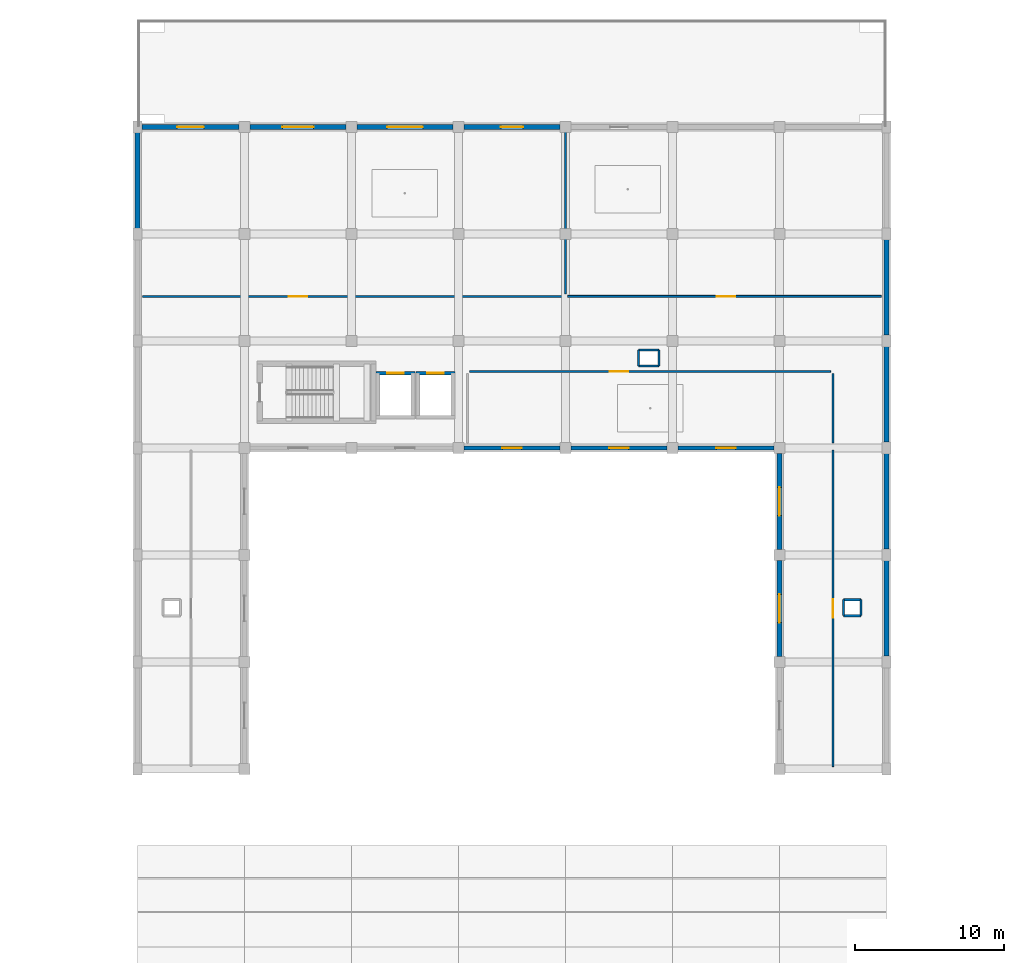
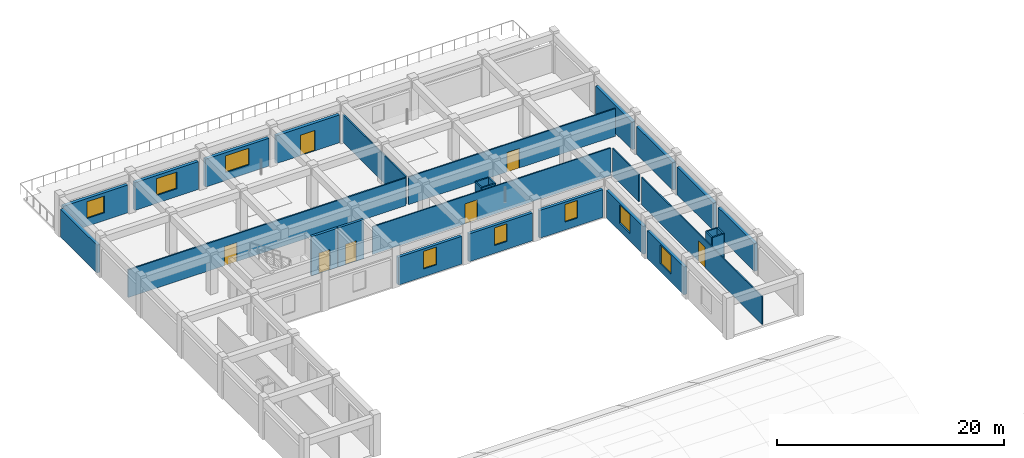
# One storey, part 38 of 56: 30 walls, 8 windows, 7 doors, 15 openings.
"""IFC4 building model written with IfcOpenShell, lengths in metres."""

from ifc_helpers import new_model, si_unit, direction, frame, frame_2d, origin, place, context, subcontext, project, spatial, rectangle, extrude, material, layer, layer_set, type_object, element, fill, save


model = new_model("IFC4")

# Units and contexts
model_context = context("Model", 3, precision=1e-05, world=origin(), true_north=direction((0.0, 1.0)))
body_context = subcontext(model_context, "Body", "Model", "MODEL_VIEW")
ifc_project = project(units=[si_unit("LENGTHUNIT", "METRE"), si_unit("AREAUNIT", "SQUARE_METRE"), si_unit("VOLUMEUNIT", "CUBIC_METRE"), si_unit("PLANEANGLEUNIT", "RADIAN"), si_unit("MASSUNIT", "GRAM", prefix="KILO")], contexts=[model_context])

# Site, building, storey
site_placement = place(None, origin())
site = spatial("IfcSite", under=ifc_project, at=site_placement, CompositionType="ELEMENT")
building_placement = place(site_placement, origin())
building = spatial("IfcBuilding", under=site, at=building_placement, Name="Kazehaya Institute of Natural Sciences", CompositionType="ELEMENT")
storey_placement = place(building_placement, frame((0.0, 0.0, 24.300048828125)))
storey = spatial("IfcBuildingStorey", under=building, at=storey_placement, Name="L05", CompositionType="ELEMENT", Elevation=24.300048828125)

# Wall, opening, window
ifc_material_1 = material(Name="Precast concrete Fc36", Category="concrete")
ifc_layer_1 = layer(ifc_material_1, 0.2900390625, Name="Precast concrete Fc36", Category="concrete")
ifc_layer_set_1 = layer_set([ifc_layer_1], Name="Precast concrete Fc36")
wall_type_1 = type_object("IfcWallType", Name="WL-EXT-290", PredefinedType="SOLIDWALL", material=ifc_layer_set_1)
wall_1_placement = place(storey_placement, frame((104.639892578125, 86.0, 0.0), z_axis=(0.0, 0.0, 1.0), x_axis=(-1.0, 0.0, 0.0)))
wall_1 = element("IfcWall", 1, at=wall_1_placement, inside=storey, type_object=wall_type_1, Name="L05 exterior wall EW-L05-0326", PredefinedType="SOLIDWALL", context=body_context, shape_type="SweptSolid", body=[
    extrude(rectangle(XDim=6.47998046875, YDim=0.2900390625, at=frame_2d((3.239990234375, 0.0))), origin(), (0.0, 0.0, 1.0), 3.0),
])
opening_1_placement = place(wall_1_placement, frame((2.590087890625, 0.0, 0.85009765625)))
opening_1 = element("IfcOpeningElement", 2, at=opening_1_placement, cuts=wall_1, Name="Opening W26", PredefinedType="OPENING", context=body_context, shape_type="SweptSolid", body=[
    extrude(rectangle(XDim=1.300048828125, YDim=1.89990234375, at=frame_2d((0.64990234375, 0.949951171875))), frame((0.0, 0.155029296875, 0.0), z_axis=(0.0, -1.0, 0.0), x_axis=(1.0, 0.0, 0.0)), (0.0, 0.0, 1.0), 0.31005859375),
])
ifc_material_2 = material(Name="Low-E double-glazed aluminium window", Category="aluminium")
window_type_1 = type_object("IfcWindowType", Name="WN-26", PartitioningType="SINGLE_PANEL", PredefinedType="WINDOW", material=ifc_material_2)
window_1_placement = place(opening_1_placement, origin())
window_1 = element("IfcWindow", 3, at=window_1_placement, inside=storey, type_object=window_type_1, Name="L05 facade window 0200", OverallHeight=1.89990234375, OverallWidth=1.300048828125, PartitioningType="SINGLE_PANEL", PredefinedType="WINDOW", context=body_context, shape_type="SweptSolid", body=[
    extrude(rectangle(XDim=1.300048828125, YDim=1.89990234375, at=frame_2d((0.64990234375, 0.949951171875))), frame((0.0, 0.030029296875, 0.0), z_axis=(0.0, -1.0, 0.0), x_axis=(1.0, 0.0, 0.0)), (0.0, 0.0, 1.0), 0.06005859375),
])
fill(opening_1, window_1)

wall_2_placement = place(storey_placement, frame((97.43994140625, 86.0, 0.0), z_axis=(0.0, 0.0, 1.0), x_axis=(-1.0, 0.0, 0.0)))
wall_2 = element("IfcWall", 4, at=wall_2_placement, inside=storey, type_object=wall_type_1, Name="L05 exterior wall EW-L05-0327", PredefinedType="SOLIDWALL", context=body_context, shape_type="SweptSolid", body=[
    extrude(rectangle(XDim=6.47998046875, YDim=0.2900390625, at=frame_2d((3.239990234375, 0.0))), origin(), (0.0, 0.0, 1.0), 3.0),
])
opening_2_placement = place(wall_2_placement, frame((2.590087890625, 0.0, 0.85009765625)))
opening_2 = element("IfcOpeningElement", 5, at=opening_2_placement, cuts=wall_2, Name="Opening W26", PredefinedType="OPENING", context=body_context, shape_type="SweptSolid", body=[
    extrude(rectangle(XDim=1.300048828125, YDim=1.89990234375, at=frame_2d((0.64990234375, 0.949951171875))), frame((0.0, 0.155029296875, 0.0), z_axis=(0.0, -1.0, 0.0), x_axis=(1.0, 0.0, 0.0)), (0.0, 0.0, 1.0), 0.31005859375),
])
window_2_placement = place(opening_2_placement, origin())
window_2 = element("IfcWindow", 6, at=window_2_placement, inside=storey, type_object=window_type_1, Name="L05 facade window 0201", OverallHeight=1.89990234375, OverallWidth=1.300048828125, PartitioningType="SINGLE_PANEL", PredefinedType="WINDOW", context=body_context, shape_type="SweptSolid", body=[
    extrude(rectangle(XDim=1.300048828125, YDim=1.89990234375, at=frame_2d((0.64990234375, 0.949951171875))), frame((0.0, 0.030029296875, 0.0), z_axis=(0.0, -1.0, 0.0), x_axis=(1.0, 0.0, 0.0)), (0.0, 0.0, 1.0), 0.06005859375),
])
fill(opening_2, window_2)

wall_3_placement = place(storey_placement, frame((90.239990234375, 86.0, 0.0), z_axis=(0.0, 0.0, 1.0), x_axis=(-1.0, 0.0, 0.0)))
wall_3 = element("IfcWall", 7, at=wall_3_placement, inside=storey, type_object=wall_type_1, Name="L05 exterior wall EW-L05-0328", PredefinedType="SOLIDWALL", context=body_context, shape_type="SweptSolid", body=[
    extrude(rectangle(XDim=6.47998046875, YDim=0.2900390625, at=frame_2d((3.239990234375, 0.0))), origin(), (0.0, 0.0, 1.0), 3.0),
])
opening_3_placement = place(wall_3_placement, frame((2.590087890625, 0.0, 0.85009765625)))
opening_3 = element("IfcOpeningElement", 8, at=opening_3_placement, cuts=wall_3, Name="Opening W26", PredefinedType="OPENING", context=body_context, shape_type="SweptSolid", body=[
    extrude(rectangle(XDim=1.300048828125, YDim=1.89990234375, at=frame_2d((0.64990234375, 0.949951171875))), frame((0.0, 0.155029296875, 0.0), z_axis=(0.0, -1.0, 0.0), x_axis=(1.0, 0.0, 0.0)), (0.0, 0.0, 1.0), 0.31005859375),
])
window_3_placement = place(opening_3_placement, origin())
window_3 = element("IfcWindow", 9, at=window_3_placement, inside=storey, type_object=window_type_1, Name="L05 facade window 0202", OverallHeight=1.89990234375, OverallWidth=1.300048828125, PartitioningType="SINGLE_PANEL", PredefinedType="WINDOW", context=body_context, shape_type="SweptSolid", body=[
    extrude(rectangle(XDim=1.300048828125, YDim=1.89990234375, at=frame_2d((0.64990234375, 0.949951171875))), frame((0.0, 0.030029296875, 0.0), z_axis=(0.0, -1.0, 0.0), x_axis=(1.0, 0.0, 0.0)), (0.0, 0.0, 1.0), 0.06005859375),
])
fill(opening_3, window_3)

ifc_layer_2 = layer(ifc_material_1, 0.31005859375, Name="Precast concrete Fc36", Category="concrete")
ifc_layer_set_2 = layer_set([ifc_layer_2], Name="Precast concrete Fc36")
wall_type_2 = type_object("IfcWallType", Name="WL-EXT-310", PredefinedType="SOLIDWALL", material=ifc_layer_set_2)
wall_4_placement = place(storey_placement, frame((105.0, 71.9599609375, 0.0), z_axis=(0.0, 0.0, 1.0), x_axis=(0.0, 1.0, 0.0)))
wall_4 = element("IfcWall", 10, at=wall_4_placement, inside=storey, type_object=wall_type_2, Name="L05 exterior wall EW-L05-0308", PredefinedType="SOLIDWALL", context=body_context, shape_type="SweptSolid", body=[
    extrude(rectangle(XDim=6.47998046875, YDim=0.31005859375, at=frame_2d((3.239990234375, 0.0))), origin(), (0.0, 0.0, 1.0), 3.0),
])
opening_4_placement = place(wall_4_placement, frame((2.2900390625, 0.0, 0.85009765625)))
opening_4 = element("IfcOpeningElement", 11, at=opening_4_placement, cuts=wall_4, Name="Opening W23", PredefinedType="OPENING", context=body_context, shape_type="SweptSolid", body=[
    extrude(rectangle(XDim=1.89990234375, YDim=2.0, at=frame_2d((0.949951171875, 1.0))), frame((0.0, 0.1650390625, 0.0), z_axis=(0.0, -1.0, 0.0), x_axis=(1.0, 0.0, 0.0)), (0.0, 0.0, 1.0), 0.330078125),
])
window_type_2 = type_object("IfcWindowType", Name="WN-23", PartitioningType="DOUBLE_PANEL_VERTICAL", PredefinedType="WINDOW", material=ifc_material_2)
window_4_placement = place(opening_4_placement, origin())
window_4 = element("IfcWindow", 12, at=window_4_placement, inside=storey, type_object=window_type_2, Name="L05 facade window 0193", OverallHeight=2.0, OverallWidth=1.89990234375, PartitioningType="DOUBLE_PANEL_VERTICAL", PredefinedType="WINDOW", context=body_context, shape_type="SweptSolid", body=[
    extrude(rectangle(XDim=1.89990234375, YDim=2.0, at=frame_2d((0.949951171875, 1.0))), frame((0.0, 0.030029296875, 0.0), z_axis=(0.0, -1.0, 0.0), x_axis=(1.0, 0.0, 0.0)), (0.0, 0.0, 1.0), 0.06005859375),
])
fill(opening_4, window_4)

wall_5_placement = place(storey_placement, frame((105.0, 79.159912109375, 0.0), z_axis=(0.0, 0.0, 1.0), x_axis=(0.0, 1.0, 0.0)))
wall_5 = element("IfcWall", 13, at=wall_5_placement, inside=storey, type_object=wall_type_2, Name="L05 exterior wall EW-L05-0312", PredefinedType="SOLIDWALL", context=body_context, shape_type="SweptSolid", body=[
    extrude(rectangle(XDim=6.47998046875, YDim=0.31005859375, at=frame_2d((3.239990234375, 0.0))), origin(), (0.0, 0.0, 1.0), 3.0),
])
opening_5_placement = place(wall_5_placement, frame((2.2900390625, 0.0, 0.85009765625)))
opening_5 = element("IfcOpeningElement", 14, at=opening_5_placement, cuts=wall_5, Name="Opening W23", PredefinedType="OPENING", context=body_context, shape_type="SweptSolid", body=[
    extrude(rectangle(XDim=1.89990234375, YDim=2.0, at=frame_2d((0.949951171875, 1.0))), frame((0.0, 0.1650390625, 0.0), z_axis=(0.0, -1.0, 0.0), x_axis=(1.0, 0.0, 0.0)), (0.0, 0.0, 1.0), 0.330078125),
])
window_5_placement = place(opening_5_placement, origin())
window_5 = element("IfcWindow", 15, at=window_5_placement, inside=storey, type_object=window_type_2, Name="L05 facade window 0195", OverallHeight=2.0, OverallWidth=1.89990234375, PartitioningType="DOUBLE_PANEL_VERTICAL", PredefinedType="WINDOW", context=body_context, shape_type="SweptSolid", body=[
    extrude(rectangle(XDim=1.89990234375, YDim=2.0, at=frame_2d((0.949951171875, 1.0))), frame((0.0, 0.030029296875, 0.0), z_axis=(0.0, -1.0, 0.0), x_axis=(1.0, 0.0, 0.0)), (0.0, 0.0, 1.0), 0.06005859375),
])
fill(opening_5, window_5)

# Walls
ifc_layer_3 = layer(ifc_material_1, 0.320068359375, Name="Precast concrete Fc36", Category="concrete")
ifc_layer_set_3 = layer_set([ifc_layer_3], Name="Precast concrete Fc36")
wall_type_3 = type_object("IfcWallType", Name="WL-EXT-320", PredefinedType="SOLIDWALL", material=ifc_layer_set_3)
for number, where, z_axis, x_axis, name in (
    (16, (112.199951171875, 78.4150390625, 0.0), (0.0, 0.0, 1.0), (0.0, -1.0, 0.0), "L05 exterior wall EW-L05-0306"),
    (17, (112.199951171875, 85.614990234375, 0.0), (0.0, 0.0, 1.0), (0.0, -1.0, 0.0), "L05 exterior wall EW-L05-0310"),
    (18, (112.199951171875, 92.81494140625, 0.0), (0.0, 0.0, 1.0), (0.0, -1.0, 0.0), "L05 exterior wall EW-L05-0314"),
    (19, (112.199951171875, 100.014892578125, 0.0), (0.0, 0.0, 1.0), (0.0, -1.0, 0.0), "L05 exterior wall EW-L05-0316"),
):
    element("IfcWall", number, at=place(storey_placement, frame(where, z_axis=z_axis, x_axis=x_axis)), inside=storey, type_object=wall_type_3, Name=name, PredefinedType="SOLIDWALL", context=body_context, shape_type="SweptSolid", body=[
        extrude(rectangle(XDim=6.429931640625, YDim=0.320068359375, at=frame_2d((3.21484375, 0.0))), origin(), (0.0, 0.0, 1.0), 3.0),
    ])
wall_6_placement = place(storey_placement, frame((61.800048828125, 100.784912109375, 0.0), z_axis=(0.0, 0.0, 1.0), x_axis=(0.0, 1.0, 0.0)))
element("IfcWall", 20, at=wall_6_placement, inside=storey, type_object=wall_type_3, Name="L05 exterior wall EW-L05-0317", PredefinedType="SOLIDWALL", context=body_context, shape_type="SweptSolid", body=[
    extrude(rectangle(XDim=6.43017578125, YDim=0.320068359375, at=frame_2d((3.215087890625, 0.0))), origin(), (0.0, 0.0, 1.0), 3.0),
])

# Wall, opening, window
wall_7_placement = place(storey_placement, frame((62.0849609375, 107.60009765625, 0.0), z_axis=(0.0, 0.0, 1.0), x_axis=(1.0, 0.0, 0.0)))
wall_7 = element("IfcWall", 21, at=wall_7_placement, inside=storey, type_object=wall_type_3, Name="L05 exterior wall EW-L05-0319", PredefinedType="SOLIDWALL", context=body_context, shape_type="SweptSolid", body=[
    extrude(rectangle(XDim=6.554931640625, YDim=0.320068359375, at=frame_2d((3.27734375, 0.0))), origin(), (0.0, 0.0, 1.0), 3.0),
])
opening_6_placement = place(wall_7_placement, frame((2.37744140625, 0.0, 0.85009765625)))
opening_6 = element("IfcOpeningElement", 22, at=opening_6_placement, cuts=wall_7, Name="Opening W11", PredefinedType="OPENING", context=body_context, shape_type="SweptSolid", body=[
    extrude(rectangle(XDim=1.800048828125, YDim=1.800048828125, at=frame_2d((0.89990234375, 0.89990234375))), frame((0.0, 0.169921875, 0.0), z_axis=(0.0, -1.0, 0.0), x_axis=(1.0, 0.0, 0.0)), (0.0, 0.0, 1.0), 0.340087890625),
])
window_type_3 = type_object("IfcWindowType", Name="WN-11", PartitioningType="DOUBLE_PANEL_VERTICAL", PredefinedType="WINDOW", material=ifc_material_2)
window_6_placement = place(opening_6_placement, origin())
window_6 = element("IfcWindow", 23, at=window_6_placement, inside=storey, type_object=window_type_3, Name="L05 facade window 0196", OverallHeight=1.800048828125, OverallWidth=1.800048828125, PartitioningType="DOUBLE_PANEL_VERTICAL", PredefinedType="WINDOW", context=body_context, shape_type="SweptSolid", body=[
    extrude(rectangle(XDim=1.800048828125, YDim=1.800048828125, at=frame_2d((0.89990234375, 0.89990234375))), frame((0.0, 0.030029296875, 0.0), z_axis=(0.0, -1.0, 0.0), x_axis=(1.0, 0.0, 0.0)), (0.0, 0.0, 1.0), 0.06005859375),
])
fill(opening_6, window_6)

wall_8_placement = place(storey_placement, frame((69.360107421875, 107.60009765625, 0.0), z_axis=(0.0, 0.0, 1.0), x_axis=(1.0, 0.0, 0.0)))
wall_8 = element("IfcWall", 24, at=wall_8_placement, inside=storey, type_object=wall_type_3, Name="L05 exterior wall EW-L05-0320", PredefinedType="SOLIDWALL", context=body_context, shape_type="SweptSolid", body=[
    extrude(rectangle(XDim=6.47998046875, YDim=0.320068359375, at=frame_2d((3.239990234375, 0.0))), origin(), (0.0, 0.0, 1.0), 3.0),
])
opening_7_placement = place(wall_8_placement, frame((2.18994140625, 0.0, 0.85009765625)))
opening_7 = element("IfcOpeningElement", 25, at=opening_7_placement, cuts=wall_8, Name="Opening W12", PredefinedType="OPENING", context=body_context, shape_type="SweptSolid", body=[
    extrude(rectangle(XDim=2.10009765625, YDim=1.800048828125, at=frame_2d((1.050048828125, 0.89990234375))), frame((0.0, 0.169921875, 0.0), z_axis=(0.0, -1.0, 0.0), x_axis=(1.0, 0.0, 0.0)), (0.0, 0.0, 1.0), 0.340087890625),
])
window_type_4 = type_object("IfcWindowType", Name="WN-12", PartitioningType="DOUBLE_PANEL_VERTICAL", PredefinedType="WINDOW", material=ifc_material_2)
window_7_placement = place(opening_7_placement, origin())
window_7 = element("IfcWindow", 26, at=window_7_placement, inside=storey, type_object=window_type_4, Name="L05 facade window 0197", OverallHeight=1.800048828125, OverallWidth=2.10009765625, PartitioningType="DOUBLE_PANEL_VERTICAL", PredefinedType="WINDOW", context=body_context, shape_type="SweptSolid", body=[
    extrude(rectangle(XDim=2.10009765625, YDim=1.800048828125, at=frame_2d((1.050048828125, 0.89990234375))), frame((0.0, 0.030029296875, 0.0), z_axis=(0.0, -1.0, 0.0), x_axis=(1.0, 0.0, 0.0)), (0.0, 0.0, 1.0), 0.06005859375),
])
fill(opening_7, window_7)

wall_9_placement = place(storey_placement, frame((76.56005859375, 107.60009765625, 0.0), z_axis=(0.0, 0.0, 1.0), x_axis=(1.0, 0.0, 0.0)))
wall_9 = element("IfcWall", 27, at=wall_9_placement, inside=storey, type_object=wall_type_3, Name="L05 exterior wall EW-L05-0321", PredefinedType="SOLIDWALL", context=body_context, shape_type="SweptSolid", body=[
    extrude(rectangle(XDim=6.47998046875, YDim=0.320068359375, at=frame_2d((3.239990234375, 0.0))), origin(), (0.0, 0.0, 1.0), 3.0),
])
opening_8_placement = place(wall_9_placement, frame((2.0400390625, 0.0, 0.85009765625)))
opening_8 = element("IfcOpeningElement", 28, at=opening_8_placement, cuts=wall_9, Name="Opening W13", PredefinedType="OPENING", context=body_context, shape_type="SweptSolid", body=[
    extrude(rectangle(XDim=2.39990234375, YDim=1.800048828125, at=frame_2d((1.199951171875, 0.89990234375))), frame((0.0, 0.169921875, 0.0), z_axis=(0.0, -1.0, 0.0), x_axis=(1.0, 0.0, 0.0)), (0.0, 0.0, 1.0), 0.340087890625),
])
window_type_5 = type_object("IfcWindowType", Name="WN-13", PartitioningType="DOUBLE_PANEL_VERTICAL", PredefinedType="WINDOW", material=ifc_material_2)
window_8_placement = place(opening_8_placement, origin())
window_8 = element("IfcWindow", 29, at=window_8_placement, inside=storey, type_object=window_type_5, Name="L05 facade window 0198", OverallHeight=1.800048828125, OverallWidth=2.39990234375, PartitioningType="DOUBLE_PANEL_VERTICAL", PredefinedType="WINDOW", context=body_context, shape_type="SweptSolid", body=[
    extrude(rectangle(XDim=2.39990234375, YDim=1.800048828125, at=frame_2d((1.199951171875, 0.89990234375))), frame((0.0, 0.030029296875, 0.0), z_axis=(0.0, -1.0, 0.0), x_axis=(1.0, 0.0, 0.0)), (0.0, 0.0, 1.0), 0.06005859375),
])
fill(opening_8, window_8)

# Wall, opening, door
wall_10_placement = place(storey_placement, frame((83.760009765625, 107.60009765625, 0.0), z_axis=(0.0, 0.0, 1.0), x_axis=(1.0, 0.0, 0.0)))
wall_10 = element("IfcWall", 30, at=wall_10_placement, inside=storey, type_object=wall_type_3, Name="L05 exterior wall EW-L05-0322", PredefinedType="SOLIDWALL", context=body_context, shape_type="SweptSolid", body=[
    extrude(rectangle(XDim=6.47998046875, YDim=0.320068359375, at=frame_2d((3.239990234375, 0.0))), origin(), (0.0, 0.0, 1.0), 3.0),
])
opening_9_placement = place(wall_10_placement, frame((2.489990234375, 0.0, 0.0)))
opening_9 = element("IfcOpeningElement", 31, at=opening_9_placement, cuts=wall_10, Name="Opening D-TER-L05", PredefinedType="OPENING", context=body_context, shape_type="SweptSolid", body=[
    extrude(rectangle(XDim=1.5, YDim=2.199951171875, at=frame_2d((0.75, 1.10009765625))), frame((0.0, 0.169921875, 0.0), z_axis=(0.0, -1.0, 0.0), x_axis=(1.0, 0.0, 0.0)), (0.0, 0.0, 1.0), 0.340087890625),
])
ifc_material_3 = material(Name="Insulated bronze-clad steel door", Category="steel")
door_type_1 = type_object("IfcDoorType", Name="DT-TER-1500x2200", OperationType="DOUBLE_DOOR_SINGLE_SWING", PredefinedType="DOOR", material=ifc_material_3)
door_1_placement = place(opening_9_placement, origin())
door_1 = element("IfcDoor", 32, at=door_1_placement, inside=storey, type_object=door_type_1, Name="L05 exterior door D-TER-L05", OperationType="DOUBLE_DOOR_SINGLE_SWING", OverallHeight=2.199951171875, OverallWidth=1.5, PredefinedType="DOOR", context=body_context, shape_type="SweptSolid", body=[
    extrude(rectangle(XDim=1.5, YDim=2.199951171875, at=frame_2d((0.75, 1.10009765625))), frame((0.0, 0.02490234375, 0.0), z_axis=(0.0, -1.0, 0.0), x_axis=(1.0, 0.0, 0.0)), (0.0, 0.0, 1.0), 0.050048828125),
])
fill(opening_9, door_1)

ifc_material_4 = material(Name="Gypsum write-up office partition", Category="gypsum")
ifc_layer_4 = layer(ifc_material_4, 0.1201171875, Name="Gypsum write-up office partition", Category="gypsum")
ifc_layer_set_4 = layer_set([ifc_layer_4], Name="Gypsum write-up office partition")
wall_type_4 = type_object("IfcWallType", Name="WL-PART-120", PredefinedType="PARTITIONING", material=ifc_layer_set_4)
wall_11_placement = place(storey_placement, frame((108.60009765625, 85.85009765625, 0.0), z_axis=(0.0, 0.0, 1.0), x_axis=(0.0, -1.0, 0.0)))
wall_11 = element("IfcWall", 33, at=wall_11_placement, inside=storey, type_object=wall_type_4, Name="L05 Researcher Write-up Office partition IW-L05-0283", PredefinedType="PARTITIONING", context=body_context, shape_type="SweptSolid", body=[
    extrude(rectangle(XDim=21.300048828125, YDim=0.1201171875, at=frame_2d((10.64990234375, 0.0))), origin(), (0.0, 0.0, 1.0), 2.97998046875),
])
opening_10_placement = place(wall_11_placement, frame((10.034912109375, 0.0, 0.0)))
opening_10 = element("IfcOpeningElement", 34, at=opening_10_placement, cuts=wall_11, Name="Opening D-L05-0166", PredefinedType="OPENING", context=body_context, shape_type="SweptSolid", body=[
    extrude(rectangle(XDim=1.22998046875, YDim=2.219970703125, at=frame_2d((0.614990234375, 1.10986328125))), frame((0.0, 0.070068359375, 0.0), z_axis=(0.0, -1.0, 0.0), x_axis=(1.0, 0.0, 0.0)), (0.0, 0.0, 1.0), 0.14013671875),
])
ifc_material_5 = material(Name="Flush timber and aluminium laboratory door", Category="wood")
door_type_2 = type_object("IfcDoorType", Name="DT-INT-40", OperationType="NOTDEFINED", PredefinedType="DOOR", material=ifc_material_5)
door_2_placement = place(opening_10_placement, origin())
door_2 = element("IfcDoor", 35, at=door_2_placement, inside=storey, type_object=door_type_2, Name="L05 Researcher Write-up Office door D-L05-0166", OperationType="SINGLE_SWING_RIGHT", OverallHeight=2.219970703125, OverallWidth=1.22998046875, PredefinedType="DOOR", context=body_context, shape_type="SweptSolid", body=[
    extrude(rectangle(XDim=1.22998046875, YDim=2.219970703125, at=frame_2d((0.614990234375, 1.10986328125))), frame((0.0, 0.02490234375, 0.0), z_axis=(0.0, -1.0, 0.0), x_axis=(1.0, 0.0, 0.0)), (0.0, 0.0, 1.0), 0.050048828125),
])
fill(opening_10, door_2)

wall_12_placement = place(storey_placement, frame((84.14990234375, 91.14990234375, 0.0), z_axis=(0.0, 0.0, 1.0), x_axis=(1.0, 0.0, 0.0)))
wall_12 = element("IfcWall", 36, at=wall_12_placement, inside=storey, type_object=wall_type_4, Name="L05 Researcher Write-up Office partition IW-L05-0287", PredefinedType="PARTITIONING", context=body_context, shape_type="SweptSolid", body=[
    extrude(rectangle(XDim=24.300048828125, YDim=0.1201171875, at=frame_2d((12.14990234375, 0.0))), origin(), (0.0, 0.0, 1.0), 2.97998046875),
])
opening_11_placement = place(wall_12_placement, frame((9.4150390625, 0.0, 0.0)))
opening_11 = element("IfcOpeningElement", 37, at=opening_11_placement, cuts=wall_12, Name="Opening D-L05-0169", PredefinedType="OPENING", context=body_context, shape_type="SweptSolid", body=[
    extrude(rectangle(XDim=1.27001953125, YDim=2.159912109375, at=frame_2d((0.635009765625, 1.080078125))), frame((0.0, 0.070068359375, 0.0), z_axis=(0.0, -1.0, 0.0), x_axis=(1.0, 0.0, 0.0)), (0.0, 0.0, 1.0), 0.14013671875),
])
door_type_3 = type_object("IfcDoorType", Name="DT-INT-43", OperationType="NOTDEFINED", PredefinedType="DOOR", material=ifc_material_5)
door_3_placement = place(opening_11_placement, origin())
door_3 = element("IfcDoor", 38, at=door_3_placement, inside=storey, type_object=door_type_3, Name="L05 Researcher Write-up Office door D-L05-0169", OperationType="SINGLE_SWING_LEFT", OverallHeight=2.159912109375, OverallWidth=1.27001953125, PredefinedType="DOOR", context=body_context, shape_type="SweptSolid", body=[
    extrude(rectangle(XDim=1.27001953125, YDim=2.159912109375, at=frame_2d((0.635009765625, 1.080078125))), frame((0.0, 0.02490234375, 0.0), z_axis=(0.0, -1.0, 0.0), x_axis=(1.0, 0.0, 0.0)), (0.0, 0.0, 1.0), 0.050048828125),
])
fill(opening_11, door_3)

# Wall
wall_13_placement = place(storey_placement, frame((108.60009765625, 91.0, 0.0), z_axis=(0.0, 0.0, 1.0), x_axis=(0.0, -1.0, 0.0)))
element("IfcWall", 39, at=wall_13_placement, inside=storey, type_object=wall_type_4, Name="L05 Researcher Write-up Office partition IW-L05-0289", PredefinedType="PARTITIONING", context=body_context, shape_type="SweptSolid", body=[
    extrude(rectangle(XDim=4.64990234375, YDim=0.1201171875, at=frame_2d((2.324951171875, 0.0))), origin(), (0.0, 0.0, 1.0), 2.97998046875),
])

# Wall, opening, door
ifc_material_6 = material(Name="Moisture-resistant WC partition")
ifc_layer_5 = layer(ifc_material_6, 0.1298828125, Name="Moisture-resistant WC partition")
ifc_layer_set_5 = layer_set([ifc_layer_5], Name="Moisture-resistant WC partition")
wall_type_5 = type_object("IfcWallType", Name="WL-PART-130", PredefinedType="PARTITIONING", material=ifc_layer_set_5)
wall_14_placement = place(storey_placement, frame((111.85009765625, 96.199951171875, 0.0), z_axis=(0.0, 0.0, 1.0), x_axis=(-1.0, 0.0, 0.0)))
wall_14 = element("IfcWall", 40, at=wall_14_placement, inside=storey, type_object=wall_type_5, Name="L05 Seminar Room partition IW-L05-0286", PredefinedType="PARTITIONING", context=body_context, shape_type="SweptSolid", body=[
    extrude(rectangle(XDim=21.10009765625, YDim=0.1298828125, at=frame_2d((10.550048828125, 0.0))), origin(), (0.0, 0.0, 1.0), 2.97998046875),
])
opening_12_placement = place(wall_14_placement, frame((9.81494140625, 0.0, 0.0)))
opening_12 = element("IfcOpeningElement", 41, at=opening_12_placement, cuts=wall_14, Name="Opening D-L05-0168", PredefinedType="OPENING", context=body_context, shape_type="SweptSolid", body=[
    extrude(rectangle(XDim=1.27001953125, YDim=2.10009765625, at=frame_2d((0.635009765625, 1.050048828125))), frame((0.0, 0.074951171875, 0.0), z_axis=(0.0, -1.0, 0.0), x_axis=(1.0, 0.0, 0.0)), (0.0, 0.0, 1.0), 0.14990234375),
])
door_type_4 = type_object("IfcDoorType", Name="DT-INT-42", OperationType="NOTDEFINED", PredefinedType="DOOR", material=ifc_material_5)
door_4_placement = place(opening_12_placement, origin())
door_4 = element("IfcDoor", 42, at=door_4_placement, inside=storey, type_object=door_type_4, Name="L05 Seminar Room door D-L05-0168", OperationType="SINGLE_SWING_RIGHT", OverallHeight=2.10009765625, OverallWidth=1.27001953125, PredefinedType="DOOR", context=body_context, shape_type="SweptSolid", body=[
    extrude(rectangle(XDim=1.27001953125, YDim=2.10009765625, at=frame_2d((0.635009765625, 1.050048828125))), frame((0.0, 0.02490234375, 0.0), z_axis=(0.0, -1.0, 0.0), x_axis=(1.0, 0.0, 0.0)), (0.0, 0.0, 1.0), 0.050048828125),
])
fill(opening_12, door_4)

ifc_material_7 = material(Name="Gypsum partition", Category="gypsum")
ifc_layer_6 = layer(ifc_material_7, 0.139892578125, Name="Gypsum partition", Category="gypsum")
ifc_layer_set_6 = layer_set([ifc_layer_6], Name="Gypsum partition")
wall_type_6 = type_object("IfcWallType", Name="WL-PART-140", PredefinedType="PARTITIONING", material=ifc_layer_set_6)
wall_15_placement = place(storey_placement, frame((90.449951171875, 96.199951171875, 0.0), z_axis=(0.0, 0.0, 1.0), x_axis=(-1.0, 0.0, 0.0)))
wall_15 = element("IfcWall", 43, at=wall_15_placement, inside=storey, type_object=wall_type_6, Name="L05 Quantum Simulation Laboratory partition IW-L05-0284", PredefinedType="PARTITIONING", context=body_context, shape_type="SweptSolid", body=[
    extrude(rectangle(XDim=28.300048828125, YDim=0.139892578125, at=frame_2d((14.14990234375, 0.0))), origin(), (0.0, 0.0, 1.0), 2.97998046875),
])
opening_13_placement = place(wall_15_placement, frame((17.215087890625, 0.0, 0.0)))
opening_13 = element("IfcOpeningElement", 44, at=opening_13_placement, cuts=wall_15, Name="Opening D-L05-0167", PredefinedType="OPENING", context=body_context, shape_type="SweptSolid", body=[
    extrude(rectangle(XDim=1.27001953125, YDim=2.050048828125, at=frame_2d((0.635009765625, 1.02490234375))), frame((0.0, 0.079833984375, 0.0), z_axis=(0.0, -1.0, 0.0), x_axis=(1.0, 0.0, 0.0)), (0.0, 0.0, 1.0), 0.159912109375),
])
door_type_5 = type_object("IfcDoorType", Name="DT-INT-41", OperationType="NOTDEFINED", PredefinedType="DOOR", material=ifc_material_5)
door_5_placement = place(opening_13_placement, origin())
door_5 = element("IfcDoor", 45, at=door_5_placement, inside=storey, type_object=door_type_5, Name="L05 Quantum Simulation Laboratory door D-L05-0167", OperationType="SINGLE_SWING_LEFT", OverallHeight=2.050048828125, OverallWidth=1.27001953125, PredefinedType="DOOR", context=body_context, shape_type="SweptSolid", body=[
    extrude(rectangle(XDim=1.27001953125, YDim=2.050048828125, at=frame_2d((0.635009765625, 1.02490234375))), frame((0.0, 0.02490234375, 0.0), z_axis=(0.0, -1.0, 0.0), x_axis=(1.0, 0.0, 0.0)), (0.0, 0.0, 1.0), 0.050048828125),
])
fill(opening_13, door_5)

# Walls
wall_16_placement = place(storey_placement, frame((90.60009765625, 107.449951171875, 0.0), z_axis=(0.0, 0.0, 1.0), x_axis=(0.0, -1.0, 0.0)))
element("IfcWall", 46, at=wall_16_placement, inside=storey, type_object=wall_type_6, Name="L05 Quantum Simulation Laboratory partition IW-L05-0285", PredefinedType="PARTITIONING", context=body_context, shape_type="SweptSolid", body=[
    extrude(rectangle(XDim=11.099853515625, YDim=0.139892578125, at=frame_2d((5.5498046875, 0.0))), origin(), (0.0, 0.0, 1.0), 2.97998046875),
])
ifc_material_8 = material(Name="Concrete Fc36", Category="concrete")
ifc_layer_7 = layer(ifc_material_8, 0.14990234375, Name="Concrete Fc36", Category="concrete")
ifc_layer_set_7 = layer_set([ifc_layer_7], Name="Concrete Fc36")
wall_type_7 = type_object("IfcWallType", Name="WL-RISER-150", PredefinedType="PARTITIONING", material=ifc_layer_set_7)
for number, where, z_axis, x_axis, name in (
    (47, (110.485107421875, 74.715087890625, 0.0), (0.0, 0.0, 1.0), (-1.0, 0.0, 0.0), "L05 fume exhaust riser shaft wall 41"),
    (48, (109.31494140625, 75.784912109375, 0.0), (0.0, 0.0, 1.0), (1.0, 0.0, 0.0), "L05 fume exhaust riser shaft wall 41"),
):
    element("IfcWall", number, at=place(storey_placement, frame(where, z_axis=z_axis, x_axis=x_axis)), inside=storey, type_object=wall_type_7, Name=name, PredefinedType="PARTITIONING", context=body_context, shape_type="SweptSolid", body=[
        extrude(rectangle(XDim=1.170166015625, YDim=0.14990234375, at=frame_2d((0.5849609375, 0.0))), origin(), (0.0, 0.0, 1.0), 2.97998046875),
    ])
for number, where, z_axis, x_axis, name in (
    (49, (109.31494140625, 74.715087890625, 0.0), (0.0, 0.0, 1.0), (0.0, 1.0, 0.0), "L05 fume exhaust riser shaft wall 41"),
    (50, (110.485107421875, 75.784912109375, 0.0), (0.0, 0.0, 1.0), (0.0, -1.0, 0.0), "L05 fume exhaust riser shaft wall 41"),
):
    element("IfcWall", number, at=place(storey_placement, frame(where, z_axis=z_axis, x_axis=x_axis)), inside=storey, type_object=wall_type_7, Name=name, PredefinedType="PARTITIONING", context=body_context, shape_type="SweptSolid", body=[
        extrude(rectangle(XDim=1.06982421875, YDim=0.14990234375, at=frame_2d((0.534912109375, 0.0))), origin(), (0.0, 0.0, 1.0), 2.97998046875),
    ])
for number, where, z_axis, x_axis, name in (
    (51, (96.885009765625, 91.514892578125, 0.0), (0.0, 0.0, 1.0), (-1.0, 0.0, 0.0), "L05 fume exhaust riser shaft wall 42"),
    (52, (95.514892578125, 92.5849609375, 0.0), (0.0, 0.0, 1.0), (1.0, 0.0, 0.0), "L05 fume exhaust riser shaft wall 42"),
):
    element("IfcWall", number, at=place(storey_placement, frame(where, z_axis=z_axis, x_axis=x_axis)), inside=storey, type_object=wall_type_7, Name=name, PredefinedType="PARTITIONING", context=body_context, shape_type="SweptSolid", body=[
        extrude(rectangle(XDim=1.3701171875, YDim=0.14990234375, at=frame_2d((0.68505859375, 0.0))), origin(), (0.0, 0.0, 1.0), 2.97998046875),
    ])
for number, where, z_axis, x_axis, name in (
    (53, (95.514892578125, 91.514892578125, 0.0), (0.0, 0.0, 1.0), (0.0, 1.0, 0.0), "L05 fume exhaust riser shaft wall 42"),
    (54, (96.885009765625, 92.5849609375, 0.0), (0.0, 0.0, 1.0), (0.0, -1.0, 0.0), "L05 fume exhaust riser shaft wall 42"),
):
    element("IfcWall", number, at=place(storey_placement, frame(where, z_axis=z_axis, x_axis=x_axis)), inside=storey, type_object=wall_type_7, Name=name, PredefinedType="PARTITIONING", context=body_context, shape_type="SweptSolid", body=[
        extrude(rectangle(XDim=1.070068359375, YDim=0.14990234375, at=frame_2d((0.53515625, 0.0))), origin(), (0.0, 0.0, 1.0), 2.97998046875),
    ])

# Wall, opening, door
ifc_material_9 = material(Name="Concrete Fc42", Category="concrete")
ifc_layer_8 = layer(ifc_material_9, 0.25, Name="Concrete Fc42", Category="concrete")
ifc_layer_set_8 = layer_set([ifc_layer_8], Name="Concrete Fc42")
wall_type_8 = type_object("IfcWallType", Name="WL-SHAFT-250", PredefinedType="SHEAR", material=ifc_layer_set_8)
wall_17_placement = place(storey_placement, frame((77.840087890625, 91.034912109375, 0.0), z_axis=(0.0, 0.0, 1.0), x_axis=(1.0, 0.0, 0.0)))
wall_17 = element("IfcWall", 55, at=wall_17_placement, inside=storey, type_object=wall_type_8, Name="L05 EL04 lift shaft wall north", PredefinedType="SHEAR", context=body_context, shape_type="SweptSolid", body=[
    extrude(rectangle(XDim=2.619873046875, YDim=0.25, at=frame_2d((1.31005859375, 0.0))), origin(), (0.0, 0.0, 1.0), 4.22998046875),
])
opening_14_placement = place(wall_17_placement, frame((0.760009765625, 0.0, 0.0)))
opening_14 = element("IfcOpeningElement", 56, at=opening_14_placement, cuts=wall_17, Name="Opening LD-62", PredefinedType="OPENING", context=body_context, shape_type="SweptSolid", body=[
    extrude(rectangle(XDim=1.10009765625, YDim=2.199951171875, at=frame_2d((0.550048828125, 1.10009765625))), frame((0.0, 0.135009765625, 0.0), z_axis=(0.0, -1.0, 0.0), x_axis=(1.0, 0.0, 0.0)), (0.0, 0.0, 1.0), 0.27001953125),
])
ifc_material_10 = material(Name="Stainless-steel sliding landing door", Category="steel")
door_type_6 = type_object("IfcDoorType", Name="DT-LD-1100x2200", OperationType="SLIDING_TO_LEFT", PredefinedType="DOOR", material=ifc_material_10)
door_6_placement = place(opening_14_placement, origin())
door_6 = element("IfcDoor", 57, at=door_6_placement, inside=storey, type_object=door_type_6, Name="L05 EL04 sliding landing door LD-62", OperationType="SLIDING_TO_LEFT", OverallHeight=2.199951171875, OverallWidth=1.10009765625, PredefinedType="DOOR", context=body_context, shape_type="SweptSolid", body=[
    extrude(rectangle(XDim=1.10009765625, YDim=2.199951171875, at=frame_2d((0.550048828125, 1.10009765625))), frame((0.0, 0.02490234375, 0.0), z_axis=(0.0, -1.0, 0.0), x_axis=(1.0, 0.0, 0.0)), (0.0, 0.0, 1.0), 0.050048828125),
])
fill(opening_14, door_6)

wall_18_placement = place(storey_placement, frame((80.5400390625, 91.034912109375, 0.0), z_axis=(0.0, 0.0, 1.0), x_axis=(1.0, 0.0, 0.0)))
wall_18 = element("IfcWall", 58, at=wall_18_placement, inside=storey, type_object=wall_type_8, Name="L05 EL05 lift shaft wall north", PredefinedType="SHEAR", context=body_context, shape_type="SweptSolid", body=[
    extrude(rectangle(XDim=2.619873046875, YDim=0.25, at=frame_2d((1.31005859375, 0.0))), origin(), (0.0, 0.0, 1.0), 4.22998046875),
])
opening_15_placement = place(wall_18_placement, frame((0.760009765625, 0.0, 0.0)))
opening_15 = element("IfcOpeningElement", 59, at=opening_15_placement, cuts=wall_18, Name="Opening LD-70", PredefinedType="OPENING", context=body_context, shape_type="SweptSolid", body=[
    extrude(rectangle(XDim=1.10009765625, YDim=2.199951171875, at=frame_2d((0.550048828125, 1.10009765625))), frame((0.0, 0.135009765625, 0.0), z_axis=(0.0, -1.0, 0.0), x_axis=(1.0, 0.0, 0.0)), (0.0, 0.0, 1.0), 0.27001953125),
])
door_7_placement = place(opening_15_placement, origin())
door_7 = element("IfcDoor", 60, at=door_7_placement, inside=storey, type_object=door_type_6, Name="L05 EL05 sliding landing door LD-70", OperationType="SLIDING_TO_LEFT", OverallHeight=2.199951171875, OverallWidth=1.10009765625, PredefinedType="DOOR", context=body_context, shape_type="SweptSolid", body=[
    extrude(rectangle(XDim=1.10009765625, YDim=2.199951171875, at=frame_2d((0.550048828125, 1.10009765625))), frame((0.0, 0.02490234375, 0.0), z_axis=(0.0, -1.0, 0.0), x_axis=(1.0, 0.0, 0.0)), (0.0, 0.0, 1.0), 0.050048828125),
])
fill(opening_15, door_7)

save(model, "model.ifc")
